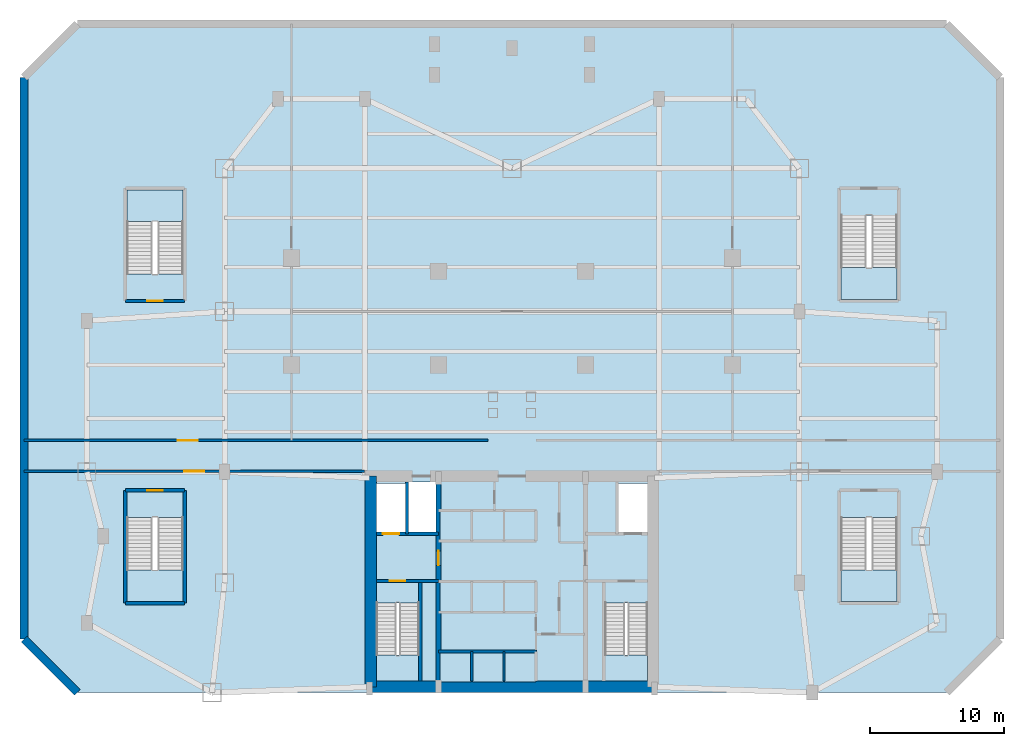
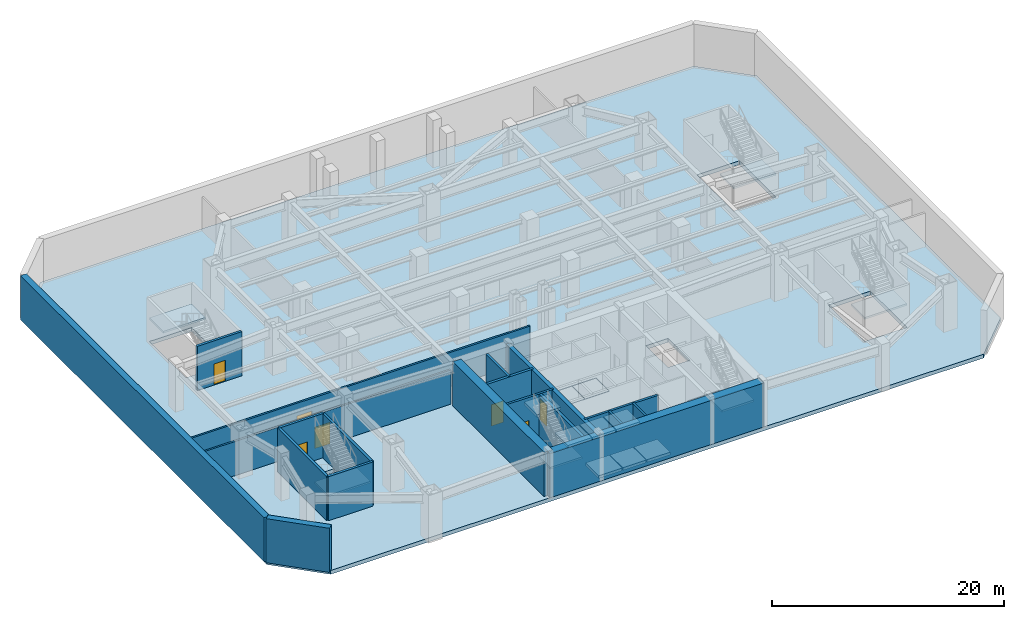
# One storey, part 2 of 6: 19 walls, 16 slabs, 7 doors, 7 openings, 6 elements without a shape of their own.
"""IFC4 building model written with IfcOpenShell, lengths in metres."""

import ifcopenshell
import ifcopenshell.guid

model = None  # the IFC model being written
_history = None  # IfcOwnerHistory: only IFC2X3 demands one
_inside = {}  # id of a spatial element -> (the spatial element, [elements in it])
_under = {}  # id of a project, library or spatial element -> (it, [spatial elements below it])
_declared = {}  # id of a project -> (the project, [libraries it declares])
_typed = {}  # id of a type object -> (the type object, [elements of that type])
_made_of = {}  # id of a material, layer set ... -> (it, [elements and type objects made of it])


def new_model(schema):
    """Start an empty IFC model of exactly this schema.

    Asked for "IFC4X3", IfcOpenShell would pick the latest addendum, in which some entities
    have other attributes; the version numbers below select the first issue.
    IFC2X3 requires an IfcOwnerHistory on every rooted entity: one is made here for all.
    """
    global model, _history
    if schema == "IFC4X3":
        model = ifcopenshell.file(schema_version=(4, 3, 0, 0))
    else:
        model = ifcopenshell.file(schema=schema)
    _inside.clear()
    _under.clear()
    _declared.clear()
    _typed.clear()
    _made_of.clear()
    _history = None
    if model.schema == "IFC2X3":
        org = make("IfcOrganization", Name="unknown")
        user = make(
            "IfcPersonAndOrganization",
            ThePerson=make("IfcPerson", FamilyName="unknown"),
            TheOrganization=org,
        )
        app = make(
            "IfcApplication",
            ApplicationDeveloper=org,
            Version="unknown",
            ApplicationFullName="unknown",
            ApplicationIdentifier="unknown",
        )
        _history = make(
            "IfcOwnerHistory",
            OwningUser=user,
            OwningApplication=app,
            ChangeAction="ADDED",
            CreationDate=0,
        )
    return model


def make(cls, **values):
    """One entity of the class cls with the attributes given. An attribute that is None is left unset."""
    return model.create_entity(
        cls, **{name: value for name, value in values.items() if value is not None}
    )


def rooted(cls, **values):
    """An entity with a GlobalId (a new one), such as an element, a storey or a relation."""
    return make(cls, GlobalId=ifcopenshell.guid.new(), OwnerHistory=_history, **values)


def si_unit(unit_type, name, prefix=None):
    """IfcSIUnit, for example si_unit("LENGTHUNIT", "METRE", prefix="MILLI")."""
    return make("IfcSIUnit", UnitType=unit_type, Prefix=prefix, Name=name)


def assignment(units):
    """IfcUnitAssignment: the units of a project."""
    return None if units is None else make("IfcUnitAssignment", Units=units)


def point(xyz):
    """IfcCartesianPoint."""
    return None if xyz is None else make("IfcCartesianPoint", Coordinates=xyz)


def direction(xyz):
    """IfcDirection."""
    return None if xyz is None else make("IfcDirection", DirectionRatios=xyz)


def frame(location, z_axis=None, x_axis=None):
    """IfcAxis2Placement3D, a coordinate frame: its origin and axes. An axis left out is left unset."""
    return make(
        "IfcAxis2Placement3D",
        Location=point(location),
        Axis=direction(z_axis),
        RefDirection=direction(x_axis),
    )


def frame_2d(location, x_axis=None):
    """IfcAxis2Placement2D, a coordinate frame in the plane: its origin and x axis."""
    return make(
        "IfcAxis2Placement2D", Location=point(location), RefDirection=direction(x_axis)
    )


def origin():
    """The frame at (0, 0, 0) with its axes left unset."""
    return frame((0.0, 0.0, 0.0))


def place(relative_to, where):
    """IfcLocalPlacement: puts the frame where relative to a parent placement (None: the world)."""
    return make(
        "IfcLocalPlacement", PlacementRelTo=relative_to, RelativePlacement=where
    )


def context(
    kind, dimensions, precision=None, world=None, true_north=None, identifier=None
):
    """IfcGeometricRepresentationContext, for example the 3D "Model" context."""
    return make(
        "IfcGeometricRepresentationContext",
        ContextIdentifier=identifier,
        ContextType=kind,
        CoordinateSpaceDimension=dimensions,
        Precision=precision,
        WorldCoordinateSystem=world,
        TrueNorth=true_north,
    )


def subcontext(parent, identifier, kind, view, scale=None):
    """IfcGeometricRepresentationSubContext, for example "Body" below "Model"."""
    return make(
        "IfcGeometricRepresentationSubContext",
        ContextIdentifier=identifier,
        ContextType=kind,
        ParentContext=parent,
        TargetScale=scale,
        TargetView=view,
    )


def project(units=None, contexts=None):
    """IfcProject with its units and contexts."""
    return rooted(
        "IfcProject",
        Name="project",
        RepresentationContexts=contexts,
        UnitsInContext=assignment(units),
    )


def spatial(cls, under=None, at=None, **own):
    """A site, building, storey or space (cls), placed at a placement, below another one or the project."""
    s = rooted(cls, ObjectPlacement=at, **own)
    if under is not None:
        _under.setdefault(under.id(), (under, []))[1].append(s)
    return s


def polyline(points):
    """IfcPolyline through the points."""
    return make("IfcPolyline", Points=[point(p) for p in points])


def profile(cls, at=None, kind="AREA", **sizes):
    """A parametric profile (cls). Its sizes go by their IFC names, for example OverallWidth=200.0."""
    return make(cls, ProfileType=kind, Position=at, **sizes)


def rectangle(**sizes):
    """IfcRectangleProfileDef."""
    return profile("IfcRectangleProfileDef", **sizes)


def outline(outer, holes=None, kind="AREA"):
    """IfcArbitraryClosedProfileDef: a profile drawn as a closed curve; with holes, ...WithVoids."""
    if holes is None:
        return make("IfcArbitraryClosedProfileDef", ProfileType=kind, OuterCurve=outer)
    return make(
        "IfcArbitraryProfileDefWithVoids",
        ProfileType=kind,
        OuterCurve=outer,
        InnerCurves=holes,
    )


def extrude(swept, where, along, depth):
    """IfcExtrudedAreaSolid: the profile swept, set in the frame where, extruded along a direction by depth."""
    return make(
        "IfcExtrudedAreaSolid",
        SweptArea=swept,
        Position=where,
        ExtrudedDirection=direction(along),
        Depth=depth,
    )


def shape(context_of_items, identifier, shape_type, items):
    """IfcShapeRepresentation: the items that make up one representation, for example the "Body"."""
    return make(
        "IfcShapeRepresentation",
        ContextOfItems=context_of_items,
        RepresentationIdentifier=identifier,
        RepresentationType=shape_type,
        Items=items,
    )


def source(mapping_origin, context_of_items, identifier, shape_type, items):
    """IfcRepresentationMap: a shape defined once, which mapped items show again and again."""
    return make(
        "IfcRepresentationMap",
        MappingOrigin=mapping_origin,
        MappedRepresentation=shape(context_of_items, identifier, shape_type, items),
    )


def transform(
    local_origin,
    x_axis=None,
    y_axis=None,
    z_axis=None,
    scale=None,
    scale2=None,
    scale3=None,
    uniform=True,
):
    """IfcCartesianTransformationOperator3D, or its non-uniform kind. x_axis, y_axis, z_axis: its Axis1, 2, 3."""
    if uniform:
        return make(
            "IfcCartesianTransformationOperator3D",
            Axis1=direction(x_axis),
            Axis2=direction(y_axis),
            LocalOrigin=point(local_origin),
            Scale=scale,
            Axis3=direction(z_axis),
        )
    return make(
        "IfcCartesianTransformationOperator3DnonUniform",
        Axis1=direction(x_axis),
        Axis2=direction(y_axis),
        LocalOrigin=point(local_origin),
        Scale=scale,
        Axis3=direction(z_axis),
        Scale2=scale2,
        Scale3=scale3,
    )


def mapped(mapping_source, mapping_target):
    """IfcMappedItem: shows the shape of a source again, moved by a transform."""
    return make(
        "IfcMappedItem", MappingSource=mapping_source, MappingTarget=mapping_target
    )


def material(Name=None, Category=None):
    """IfcMaterial."""
    return make("IfcMaterial", Name=Name, Category=Category)


def layer(
    of_material, thickness, ventilated=None, Name=None, Category=None, Priority=None
):
    """IfcMaterialLayer: one layer of a wall or slab, of a material (None: an air gap)."""
    return make(
        "IfcMaterialLayer",
        Material=of_material,
        LayerThickness=thickness,
        IsVentilated=ventilated,
        Name=Name,
        Category=Category,
        Priority=Priority,
    )


def layer_set(layers, Name=None):
    """IfcMaterialLayerSet."""
    return make("IfcMaterialLayerSet", MaterialLayers=layers, LayerSetName=Name)


def made_of(thing, what):
    """Note that an element or type object is made of a material, layer set ...; save() writes the relation."""
    if what is not None:
        _made_of.setdefault(what.id(), (what, []))[1].append(thing)
    return thing


def type_object(cls, material=None, **own):
    """A type object (cls), such as IfcWallType, which elements share."""
    return made_of(rooted(cls, **own), material)


def type_shapes(of_type, sources):
    """Give a type object the sources (RepresentationMaps) that its elements show as mapped items."""
    of_type.RepresentationMaps = sources


def element(
    cls,
    number,
    at=None,
    inside=None,
    cuts=None,
    type_object=None,
    material=None,
    context=None,
    identifier="Body",
    shape_type=None,
    held_by="IfcProductDefinitionShape",
    body=None,
    shapes=None,
    **own,
):
    """One element of the class cls, such as IfcWall. Its Tag is "e" and its number.

    at: its placement. inside: the storey or other place that contains it. cuts: it is an
    opening in that element (IfcRelVoidsElement). A single representation is given by context,
    identifier, shape_type and body (its items); several are given by shapes. held_by: the class
    of the entity that holds the representations. save() writes the other relations.
    """
    e = rooted(cls, Tag="e%d" % number, ObjectPlacement=at, **own)
    if body is not None:
        shapes = [shape(context, identifier, shape_type, body)]
    if shapes is not None:
        e.Representation = make(held_by, Representations=shapes)
    if inside is not None:
        _inside.setdefault(inside.id(), (inside, []))[1].append(e)
    if cuts is not None:
        rooted(
            "IfcRelVoidsElement", RelatingBuildingElement=cuts, RelatedOpeningElement=e
        )
    if type_object is not None:
        _typed.setdefault(type_object.id(), (type_object, []))[1].append(e)
    return made_of(e, material)


def fill(opening, filler):
    """IfcRelFillsElement: the door or window that sits in an opening."""
    return rooted(
        "IfcRelFillsElement",
        RelatingOpeningElement=opening,
        RelatedBuildingElement=filler,
    )


def aggregate(whole, parts):
    """IfcRelAggregates: a whole, such as a stair, and the parts it consists of."""
    return rooted("IfcRelAggregates", RelatingObject=whole, RelatedObjects=parts)


def save(model, path):
    """Write the relations noted so far, then the file.

    IfcRelAggregates (storeys below a building ...), IfcRelContainedInSpatialStructure (elements
    in a storey), IfcRelDefinesByType, IfcRelAssociatesMaterial and IfcRelDeclares: one each for
    every whole, place, type object, material and project.
    """
    for whole, parts in _under.values():
        aggregate(whole, parts)
    for where, things in _inside.values():
        rooted(
            "IfcRelContainedInSpatialStructure",
            RelatedElements=things,
            RelatingStructure=where,
        )
    for kind, things in _typed.values():
        rooted("IfcRelDefinesByType", RelatedObjects=things, RelatingType=kind)
    for what, things in _made_of.values():
        rooted("IfcRelAssociatesMaterial", RelatedObjects=things, RelatingMaterial=what)
    for by, libraries in _declared.values():
        rooted("IfcRelDeclares", RelatingContext=by, RelatedDefinitions=libraries)
    model.write(path)


model = new_model("IFC4")

# Units and contexts
model_context = context("Model", 3, precision=1e-05, world=origin(), true_north=direction((0.0, 1.0)))
body_context = subcontext(model_context, "Body", "Model", "MODEL_VIEW")
ifc_project = project(units=[si_unit("LENGTHUNIT", "METRE"), si_unit("AREAUNIT", "SQUARE_METRE"), si_unit("VOLUMEUNIT", "CUBIC_METRE"), si_unit("PLANEANGLEUNIT", "RADIAN"), si_unit("MASSUNIT", "GRAM", prefix="KILO")], contexts=[model_context])

# Site, building, storey
site_placement = place(None, origin())
site = spatial("IfcSite", under=ifc_project, at=site_placement, CompositionType="ELEMENT")
building_placement = place(site_placement, origin())
building = spatial("IfcBuilding", under=site, at=building_placement, Name="Varnakhor Terracotta Tower", CompositionType="ELEMENT")
storey_placement = place(building_placement, frame((0.0, 0.0, -5.0)))
storey = spatial("IfcBuildingStorey", under=building, at=storey_placement, Name="B01", CompositionType="ELEMENT", Elevation=-5.0)

# Slab
ifc_material_1 = material(Name="Concrete C40/50", Category="concrete")
ifc_layer_1 = layer(ifc_material_1, 0.39990234375, Name="Concrete C40/50")
ifc_layer_set_1 = layer_set([ifc_layer_1], Name="Concrete C40/50")
slab_type_1 = type_object("IfcSlabType", Name="SLB-BSM-400", PredefinedType="FLOOR", material=ifc_layer_set_1)
slab_1_placement = place(storey_placement, frame((0.0, 0.0, -0.39990234375)))
element("IfcSlab", 1, at=slab_1_placement, inside=storey, type_object=slab_type_1, Name="B01 Structural Floor Slab", PredefinedType="FLOOR", context=body_context, shape_type="SweptSolid", body=[
    extrude(outline(polyline([(-36.5, 4.0), (-36.5, 46.0), (-32.5, 50.0), (32.5, 50.0), (36.5, 46.0), (36.5, 4.0), (32.5, 0.0), (-32.5, 0.0), (-36.5, 4.0)]), holes=[polyline([(1.7900390625, 0.760009765625), (1.7900390625, 3.0400390625), (-5.389892578125, 3.0400390625), (-5.389892578125, 0.760009765625), (1.7900390625, 0.760009765625)]), polyline([(-10.14990234375, 0.85009765625), (-6.949951171875, 0.85009765625), (-6.949951171875, 6.695068359375), (-10.14990234375, 6.695068359375), (-10.14990234375, 0.85009765625)]), polyline([(-28.800048828125, 6.800048828125), (-24.60009765625, 6.800048828125), (-24.60009765625, 13.0849609375), (-28.800048828125, 13.0849609375), (-28.800048828125, 6.800048828125)]), polyline([(-7.949951171875, 11.8798828125), (-7.949951171875, 15.64990234375), (-10.14990234375, 15.64990234375), (-10.14990234375, 11.8798828125), (-7.949951171875, 11.8798828125)]), polyline([(-7.72998046875, 11.8798828125), (-5.699951171875, 11.8798828125), (-5.699951171875, 15.75), (-7.72998046875, 15.75), (-7.72998046875, 11.8798828125)]), polyline([(-28.800048828125, 31.31494140625), (-24.60009765625, 31.31494140625), (-24.60009765625, 37.60009765625), (-28.800048828125, 37.60009765625), (-28.800048828125, 31.31494140625)]), polyline([(10.14990234375, 0.85009765625), (10.14990234375, 6.695068359375), (6.949951171875, 6.695068359375), (6.949951171875, 0.85009765625), (10.14990234375, 0.85009765625)]), polyline([(-5.389892578125, 6.010009765625), (1.7900390625, 6.010009765625), (1.7900390625, 8.2900390625), (-5.389892578125, 8.2900390625), (-5.389892578125, 6.010009765625)]), polyline([(24.60009765625, 6.800048828125), (28.800048828125, 6.800048828125), (28.800048828125, 13.0849609375), (24.60009765625, 13.0849609375), (24.60009765625, 6.800048828125)]), polyline([(1.7900390625, 11.330078125), (1.7900390625, 13.610107421875), (-5.389892578125, 13.610107421875), (-5.389892578125, 11.330078125), (1.7900390625, 11.330078125)]), polyline([(7.949951171875, 11.8798828125), (10.14990234375, 11.8798828125), (10.14990234375, 15.64990234375), (7.949951171875, 15.64990234375), (7.949951171875, 11.8798828125)]), polyline([(24.60009765625, 29.39990234375), (28.800048828125, 29.39990234375), (28.800048828125, 35.68505859375), (24.60009765625, 35.68505859375), (24.60009765625, 29.39990234375)])]), origin(), (0.0, 0.0, 1.0), 0.39990234375),
])

# Stair, slab
stair_type_1 = type_object("IfcStairType", Name="STR-CORE-OFFICE-1500", PredefinedType="HALF_TURN_STAIR", material=ifc_material_1)
stair_1_placement = place(storey_placement, origin())
stair_1 = element("IfcStair", 2, at=stair_1_placement, inside=storey, type_object=stair_type_1, Name="B01 Core Exit Stair ST-1", PredefinedType="HALF_TURN_STAIR")
ifc_layer_2 = layer(ifc_material_1, 0.179931640625, Name="Concrete C40/50")
ifc_layer_set_2 = layer_set([ifc_layer_2], Name="Concrete C40/50")
slab_type_2 = type_object("IfcSlabType", Name="SLB-LANDING-180", PredefinedType="LANDING", material=ifc_layer_set_2)
slab_2_placement = place(storey_placement, frame((0.0, 0.0, 2.300048828125)))
slab_2 = element("IfcSlab", 3, at=slab_2_placement, type_object=slab_type_2, Name="ST-1 landing 1", PredefinedType="LANDING", context=body_context, shape_type="SweptSolid", body=[
    extrude(outline(polyline([(-10.14990234375, 2.7900390625), (-10.14990234375, 0.85009765625), (-6.949951171875, 0.85009765625), (-6.949951171875, 2.7900390625), (-10.14990234375, 2.7900390625)])), origin(), (0.0, 0.0, 1.0), 0.199951171875),
])
aggregate(stair_1, [slab_2])

stair_2_placement = place(storey_placement, origin())
stair_2 = element("IfcStair", 4, at=stair_2_placement, inside=storey, type_object=stair_type_1, Name="B01 Core Exit Stair ST-2", PredefinedType="HALF_TURN_STAIR")
slab_3_placement = place(storey_placement, frame((0.0, 0.0, 2.300048828125)))
slab_3 = element("IfcSlab", 5, at=slab_3_placement, type_object=slab_type_2, Name="ST-2 landing 1", PredefinedType="LANDING", context=body_context, shape_type="SweptSolid", body=[
    extrude(outline(polyline([(6.949951171875, 2.7900390625), (6.949951171875, 0.85009765625), (10.14990234375, 0.85009765625), (10.14990234375, 2.7900390625), (6.949951171875, 2.7900390625)])), origin(), (0.0, 0.0, 1.0), 0.199951171875),
])
aggregate(stair_2, [slab_3])

stair_type_2 = type_object("IfcStairType", Name="STR-PODIUM-EXIT-2000", PredefinedType="HALF_TURN_STAIR", material=ifc_material_1)
stair_3_placement = place(storey_placement, origin())
stair_3 = element("IfcStair", 6, at=stair_3_placement, inside=storey, type_object=stair_type_2, Name="B01 Podium Assembly Exit Stair ST-P1", PredefinedType="HALF_TURN_STAIR")
slab_4_placement = place(storey_placement, frame((0.0, 0.0, 2.300048828125)))
slab_4 = element("IfcSlab", 7, at=slab_4_placement, type_object=slab_type_2, Name="ST-P1 landing 1", PredefinedType="LANDING", context=body_context, shape_type="SweptSolid", body=[
    extrude(outline(polyline([(-28.800048828125, 9.179931640625), (-28.800048828125, 6.800048828125), (-24.60009765625, 6.800048828125), (-24.60009765625, 9.179931640625), (-28.800048828125, 9.179931640625)])), origin(), (0.0, 0.0, 1.0), 0.199951171875),
])
aggregate(stair_3, [slab_4])

stair_4_placement = place(storey_placement, origin())
stair_4 = element("IfcStair", 8, at=stair_4_placement, inside=storey, type_object=stair_type_2, Name="B01 Podium Assembly Exit Stair ST-P2", PredefinedType="HALF_TURN_STAIR")
slab_5_placement = place(storey_placement, frame((0.0, 0.0, 2.300048828125)))
slab_5 = element("IfcSlab", 9, at=slab_5_placement, type_object=slab_type_2, Name="ST-P2 landing 1", PredefinedType="LANDING", context=body_context, shape_type="SweptSolid", body=[
    extrude(outline(polyline([(24.60009765625, 9.179931640625), (24.60009765625, 6.800048828125), (28.800048828125, 6.800048828125), (28.800048828125, 9.179931640625), (24.60009765625, 9.179931640625)])), origin(), (0.0, 0.0, 1.0), 0.199951171875),
])
aggregate(stair_4, [slab_5])

stair_5_placement = place(storey_placement, origin())
stair_5 = element("IfcStair", 10, at=stair_5_placement, inside=storey, type_object=stair_type_2, Name="B01 Podium Assembly Exit Stair ST-P3", PredefinedType="HALF_TURN_STAIR")
slab_6_placement = place(storey_placement, frame((0.0, 0.0, 2.300048828125)))
slab_6 = element("IfcSlab", 11, at=slab_6_placement, type_object=slab_type_2, Name="ST-P3 landing 1", PredefinedType="LANDING", context=body_context, shape_type="SweptSolid", body=[
    extrude(outline(polyline([(-24.60009765625, 35.219970703125), (-24.60009765625, 37.60009765625), (-28.800048828125, 37.60009765625), (-28.800048828125, 35.219970703125), (-24.60009765625, 35.219970703125)])), origin(), (0.0, 0.0, 1.0), 0.199951171875),
])
aggregate(stair_5, [slab_6])

stair_6_placement = place(storey_placement, origin())
stair_6 = element("IfcStair", 12, at=stair_6_placement, inside=storey, type_object=stair_type_2, Name="B01 Podium Assembly Exit Stair ST-P4", PredefinedType="HALF_TURN_STAIR")
slab_7_placement = place(storey_placement, frame((0.0, 0.0, 2.300048828125)))
slab_7 = element("IfcSlab", 13, at=slab_7_placement, type_object=slab_type_2, Name="ST-P4 landing 1", PredefinedType="LANDING", context=body_context, shape_type="SweptSolid", body=[
    extrude(outline(polyline([(24.60009765625, 31.780029296875), (24.60009765625, 29.39990234375), (28.800048828125, 29.39990234375), (28.800048828125, 31.780029296875), (24.60009765625, 31.780029296875)])), origin(), (0.0, 0.0, 1.0), 0.199951171875),
])
aggregate(stair_6, [slab_7])

# Slabs
ifc_layer_3 = layer(ifc_material_1, 0.300048828125, Name="Concrete C40/50")
ifc_layer_set_3 = layer_set([ifc_layer_3], Name="Concrete C40/50")
slab_type_3 = type_object("IfcSlabType", Name="SLB-PLANT-300", PredefinedType="FLOOR", material=ifc_layer_set_3)
slab_8_placement = place(storey_placement, frame((0.0, 0.0, -0.300048828125)))
element("IfcSlab", 14, at=slab_8_placement, inside=storey, type_object=slab_type_3, Name="Lift PL-1A Structural Pit Base Slab", PredefinedType="FLOOR", context=body_context, shape_type="SweptSolid", body=[
    extrude(outline(polyline([(-5.3798828125, 0.77001953125), (-3.02001953125, 0.77001953125), (-3.02001953125, 3.030029296875), (-5.3798828125, 3.030029296875), (-5.3798828125, 0.77001953125)])), origin(), (0.0, 0.0, 1.0), 0.300048828125),
])
slab_9_placement = place(storey_placement, frame((0.0, 0.0, -0.300048828125)))
element("IfcSlab", 15, at=slab_9_placement, inside=storey, type_object=slab_type_3, Name="Lift PL-1B Structural Pit Base Slab", PredefinedType="FLOOR", context=body_context, shape_type="SweptSolid", body=[
    extrude(outline(polyline([(-2.9599609375, 0.77001953125), (-0.639892578125, 0.77001953125), (-0.639892578125, 3.030029296875), (-2.9599609375, 3.030029296875), (-2.9599609375, 0.77001953125)])), origin(), (0.0, 0.0, 1.0), 0.300048828125),
])
slab_10_placement = place(storey_placement, frame((0.0, 0.0, -0.300048828125)))
element("IfcSlab", 16, at=slab_10_placement, inside=storey, type_object=slab_type_3, Name="Lift PL-1C Structural Pit Base Slab", PredefinedType="FLOOR", context=body_context, shape_type="SweptSolid", body=[
    extrude(outline(polyline([(-0.580078125, 0.77001953125), (1.780029296875, 0.77001953125), (1.780029296875, 3.030029296875), (-0.580078125, 3.030029296875), (-0.580078125, 0.77001953125)])), origin(), (0.0, 0.0, 1.0), 0.300048828125),
])
slab_11_placement = place(storey_placement, frame((0.0, 0.0, -0.300048828125)))
element("IfcSlab", 17, at=slab_11_placement, inside=storey, type_object=slab_type_3, Name="Lift PL-2A Structural Pit Base Slab", PredefinedType="FLOOR", context=body_context, shape_type="SweptSolid", body=[
    extrude(outline(polyline([(-5.3798828125, 6.02001953125), (-3.02001953125, 6.02001953125), (-3.02001953125, 8.280029296875), (-5.3798828125, 8.280029296875), (-5.3798828125, 6.02001953125)])), origin(), (0.0, 0.0, 1.0), 0.300048828125),
])
slab_12_placement = place(storey_placement, frame((0.0, 0.0, -0.300048828125)))
element("IfcSlab", 18, at=slab_12_placement, inside=storey, type_object=slab_type_3, Name="Lift PL-2B Structural Pit Base Slab", PredefinedType="FLOOR", context=body_context, shape_type="SweptSolid", body=[
    extrude(outline(polyline([(-2.9599609375, 6.02001953125), (-0.639892578125, 6.02001953125), (-0.639892578125, 8.280029296875), (-2.9599609375, 8.280029296875), (-2.9599609375, 6.02001953125)])), origin(), (0.0, 0.0, 1.0), 0.300048828125),
])
slab_13_placement = place(storey_placement, frame((0.0, 0.0, -0.300048828125)))
element("IfcSlab", 19, at=slab_13_placement, inside=storey, type_object=slab_type_3, Name="Lift PL-2C Structural Pit Base Slab", PredefinedType="FLOOR", context=body_context, shape_type="SweptSolid", body=[
    extrude(outline(polyline([(-0.580078125, 6.02001953125), (1.780029296875, 6.02001953125), (1.780029296875, 8.280029296875), (-0.580078125, 8.280029296875), (-0.580078125, 6.02001953125)])), origin(), (0.0, 0.0, 1.0), 0.300048828125),
])
slab_14_placement = place(storey_placement, frame((0.0, 0.0, -0.300048828125)))
element("IfcSlab", 20, at=slab_14_placement, inside=storey, type_object=slab_type_3, Name="Lift PL-3A Structural Pit Base Slab", PredefinedType="FLOOR", context=body_context, shape_type="SweptSolid", body=[
    extrude(outline(polyline([(-5.3798828125, 11.340087890625), (-3.02001953125, 11.340087890625), (-3.02001953125, 13.60009765625), (-5.3798828125, 13.60009765625), (-5.3798828125, 11.340087890625)])), origin(), (0.0, 0.0, 1.0), 0.300048828125),
])
slab_15_placement = place(storey_placement, frame((0.0, 0.0, -0.300048828125)))
element("IfcSlab", 21, at=slab_15_placement, inside=storey, type_object=slab_type_3, Name="Lift PL-3B Structural Pit Base Slab", PredefinedType="FLOOR", context=body_context, shape_type="SweptSolid", body=[
    extrude(outline(polyline([(-2.9599609375, 11.340087890625), (-0.639892578125, 11.340087890625), (-0.639892578125, 13.60009765625), (-2.9599609375, 13.60009765625), (-2.9599609375, 11.340087890625)])), origin(), (0.0, 0.0, 1.0), 0.300048828125),
])
slab_16_placement = place(storey_placement, frame((0.0, 0.0, -0.300048828125)))
element("IfcSlab", 22, at=slab_16_placement, inside=storey, type_object=slab_type_3, Name="Lift PL-3C Structural Pit Base Slab", PredefinedType="FLOOR", context=body_context, shape_type="SweptSolid", body=[
    extrude(outline(polyline([(-0.580078125, 11.340087890625), (1.780029296875, 11.340087890625), (1.780029296875, 13.60009765625), (-0.580078125, 13.60009765625), (-0.580078125, 11.340087890625)])), origin(), (0.0, 0.0, 1.0), 0.300048828125),
])

# Walls
ifc_layer_4 = layer(ifc_material_1, 0.60009765625, Name="Concrete C40/50")
ifc_layer_set_4 = layer_set([ifc_layer_4], Name="Concrete C40/50")
wall_type_1 = type_object("IfcWallType", Name="WAL-BSM-RET-600", PredefinedType="SOLIDWALL", material=ifc_layer_set_4)
wall_1_placement = place(storey_placement, frame((-36.5, 46.0, 0.0), z_axis=(0.0, 0.0, 1.0), x_axis=(0.0, -1.0, 0.0)))
element("IfcWall", 23, at=wall_1_placement, inside=storey, type_object=wall_type_1, Name="B01 Perimeter Retaining Wall 7", PredefinedType="SOLIDWALL", context=body_context, shape_type="SweptSolid", body=[
    extrude(rectangle(XDim=42.0, YDim=0.60009765625, at=frame_2d((21.0, 0.0))), origin(), (0.0, 0.0, 1.0), 4.639892578125),
])
wall_2_placement = place(storey_placement, frame((-36.5, 4.0, 0.0), z_axis=(0.0, 0.0, 1.0), x_axis=(0.707106781187, -0.707106781187, 0.0)))
element("IfcWall", 24, at=wall_2_placement, inside=storey, type_object=wall_type_1, Name="B01 Perimeter Retaining Wall 8", PredefinedType="SOLIDWALL", context=body_context, shape_type="SweptSolid", body=[
    extrude(rectangle(XDim=5.65673828125, YDim=0.60009765625, at=frame_2d((2.828369140625, 0.0))), origin(), (0.0, 0.0, 1.0), 4.639892578125),
])
ifc_material_2 = material(Name="Concrete C60/75", Category="concrete")
ifc_layer_5 = layer(ifc_material_2, 0.85009765625, Name="Concrete C60/75")
ifc_layer_set_5 = layer_set([ifc_layer_5], Name="Concrete C60/75")
wall_type_2 = type_object("IfcWallType", Name="WAL-CORE-850", PredefinedType="SHEAR", material=ifc_layer_set_5)
wall_3_placement = place(storey_placement, frame((-10.64990234375, 0.425048828125, 0.0), z_axis=(0.0, 0.0, 1.0), x_axis=(1.0, 0.0, 0.0)))
element("IfcWall", 25, at=wall_3_placement, inside=storey, type_object=wall_type_2, Name="B01 South Core Shear Wall", PredefinedType="SHEAR", context=body_context, shape_type="SweptSolid", body=[
    extrude(rectangle(XDim=21.2998046875, YDim=0.85009765625, at=frame_2d((10.64990234375, 0.0))), origin(), (0.0, 0.0, 1.0), 4.639892578125),
])
wall_4_placement = place(storey_placement, frame((-10.574951171875, 0.425048828125, 0.0), z_axis=(0.0, 0.0, 1.0), x_axis=(0.0, 1.0, 0.0)))
element("IfcWall", 26, at=wall_4_placement, inside=storey, type_object=wall_type_2, Name="B01 West Core Shear Wall", PredefinedType="SHEAR", context=body_context, shape_type="SweptSolid", body=[
    extrude(rectangle(XDim=15.75, YDim=0.85009765625, at=frame_2d((7.875, 0.0))), origin(), (0.0, 0.0, 1.0), 4.639892578125),
])

# Wall, opening, door
ifc_material_3 = material(Name="Concrete C50/60", Category="concrete")
ifc_layer_6 = layer(ifc_material_3, 0.39990234375, Name="Concrete C50/60")
ifc_layer_set_6 = layer_set([ifc_layer_6], Name="Concrete C50/60")
wall_type_3 = type_object("IfcWallType", Name="WAL-CORE-WEB-400", PredefinedType="SHEAR", material=ifc_layer_set_6)
wall_5_placement = place(storey_placement, frame((-5.5, 0.425048828125, 0.0), z_axis=(0.0, 0.0, 1.0), x_axis=(0.0, 1.0, 0.0)))
wall_5 = element("IfcWall", 27, at=wall_5_placement, inside=storey, type_object=wall_type_3, Name="B01 West Core Web Shear Wall", PredefinedType="SHEAR", context=body_context, shape_type="SweptSolid", body=[
    extrude(rectangle(XDim=15.75, YDim=0.39990234375, at=frame_2d((7.875, 0.0))), origin(), (0.0, 0.0, 1.0), 4.639892578125),
])
opening_1_placement = place(wall_5_placement, frame((9.074951171875, 0.0, 0.0)))
opening_1 = element("IfcOpeningElement", 28, at=opening_1_placement, cuts=wall_5, Name="Opening DR-25", PredefinedType="OPENING", context=body_context, shape_type="SweptSolid", body=[
    extrude(rectangle(XDim=1.10009765625, YDim=2.199951171875, at=frame_2d((0.550048828125, 1.10009765625))), frame((0.0, 0.2099609375, 0.0), z_axis=(0.0, -1.0, 0.0), x_axis=(1.0, 0.0, 0.0)), (0.0, 0.0, 1.0), 0.419921875),
])
ifc_material_4 = material(Name="Firefighting Lobby Self-Closing Fire Door", Category="steel")
door_type_1 = type_object("IfcDoorType", Name="DR-FFL-1100X2200", OperationType="NOTDEFINED", PredefinedType="DOOR", material=ifc_material_4)
shared_shape_1 = source(origin(), body_context, "Body", "SweptSolid", [
    extrude(rectangle(XDim=1.10009765625, YDim=2.199951171875, at=frame_2d((0.550048828125, 1.10009765625))), frame((0.0, 0.02490234375, 0.0), z_axis=(0.0, -1.0, 0.0), x_axis=(1.0, 0.0, 0.0)), (0.0, 0.0, 1.0), 0.050048828125),
])
type_shapes(door_type_1, [shared_shape_1])
door_1_placement = place(opening_1_placement, origin())
door_1 = element("IfcDoor", 29, at=door_1_placement, inside=storey, type_object=door_type_1, Name="B01 West Firefighting Lobby Door", OperationType="SINGLE_SWING_LEFT", OverallHeight=2.199951171875, OverallWidth=1.10009765625, PredefinedType="DOOR", context=body_context, shape_type="MappedRepresentation", body=[
    mapped(shared_shape_1, transform((0.0, 0.0, 0.0), scale=1.0)),
])
fill(opening_1, door_1)

ifc_material_5 = material(Name="Fire-Rated Gypsum Stud Partition", Category="gypsum")
ifc_layer_7 = layer(ifc_material_5, 0.18505859375, Name="Fire-Rated Gypsum Stud Partition")
ifc_layer_set_7 = layer_set([ifc_layer_7], Name="Fire-Rated Gypsum Stud Partition")
wall_type_4 = type_object("IfcWallType", Name="WAL-CORR-185", PredefinedType="PARTITIONING", material=ifc_layer_set_7)
wall_6_placement = place(storey_placement, frame((-36.489990234375, 16.550048828125, 0.0), z_axis=(0.0, 0.0, 1.0), x_axis=(1.0, 0.0, 0.0)))
wall_6 = element("IfcWall", 30, at=wall_6_placement, inside=storey, type_object=wall_type_4, Name="B01 West Plant Corridor Wall", PredefinedType="PARTITIONING", context=body_context, shape_type="SweptSolid", body=[
    extrude(rectangle(XDim=25.469970703125, YDim=0.18505859375, at=frame_2d((12.73486328125, 0.0))), origin(), (0.0, 0.0, 1.0), 3.592041015625),
])
opening_2_placement = place(wall_6_placement, frame((11.985107421875, 0.0, 0.0)))
opening_2 = element("IfcOpeningElement", 31, at=opening_2_placement, cuts=wall_6, Name="Opening DR-30", PredefinedType="OPENING", context=body_context, shape_type="SweptSolid", body=[
    extrude(rectangle(XDim=1.5, YDim=2.25, at=frame_2d((0.75, 1.125))), frame((0.0, 0.1025390625, 0.0), z_axis=(0.0, -1.0, 0.0), x_axis=(1.0, 0.0, 0.0)), (0.0, 0.0, 1.0), 0.205078125),
])
ifc_material_6 = material(Name="Double Acoustic Conference Room Door", Category="wood")
door_type_2 = type_object("IfcDoorType", Name="DR-MEET-1500X2250", OperationType="NOTDEFINED", PredefinedType="DOOR", material=ifc_material_6)
shared_shape_2 = source(origin(), body_context, "Body", "SweptSolid", [
    extrude(rectangle(XDim=1.5, YDim=2.25, at=frame_2d((0.75, 1.125))), frame((0.0, 0.02490234375, 0.0), z_axis=(0.0, -1.0, 0.0), x_axis=(1.0, 0.0, 0.0)), (0.0, 0.0, 1.0), 0.050048828125),
])
type_shapes(door_type_2, [shared_shape_2])
door_2_placement = place(opening_2_placement, origin())
door_2 = element("IfcDoor", 32, at=door_2_placement, inside=storey, type_object=door_type_2, Name="B01 SW Plant Door", OperationType="DOUBLE_DOOR_SINGLE_SWING", OverallHeight=2.25, OverallWidth=1.5, PredefinedType="DOOR", context=body_context, shape_type="MappedRepresentation", body=[
    mapped(shared_shape_2, transform((0.0, 0.0, 0.0), scale=1.0)),
])
fill(opening_2, door_2)

wall_7_placement = place(storey_placement, frame((-36.489990234375, 18.85009765625, 0.0), z_axis=(0.0, 0.0, 1.0), x_axis=(1.0, 0.0, 0.0)))
wall_7 = element("IfcWall", 33, at=wall_7_placement, inside=storey, type_object=wall_type_4, Name="B01 Corridor North West Wall", PredefinedType="PARTITIONING", context=body_context, shape_type="SweptSolid", body=[
    extrude(rectangle(XDim=34.68994140625, YDim=0.18505859375, at=frame_2d((17.344970703125, 0.0))), origin(), (0.0, 0.0, 1.0), 3.592041015625),
])
opening_3_placement = place(wall_7_placement, frame((11.493408203125, 0.0, 0.0)))
opening_3 = element("IfcOpeningElement", 34, at=opening_3_placement, cuts=wall_7, Name="Opening DR-30", PredefinedType="OPENING", context=body_context, shape_type="SweptSolid", body=[
    extrude(rectangle(XDim=1.5, YDim=2.25, at=frame_2d((0.75, 1.125))), frame((0.0, 0.1025390625, 0.0), z_axis=(0.0, -1.0, 0.0), x_axis=(1.0, 0.0, 0.0)), (0.0, 0.0, 1.0), 0.205078125),
])
door_3_placement = place(opening_3_placement, origin())
door_3 = element("IfcDoor", 35, at=door_3_placement, inside=storey, type_object=door_type_2, Name="B01 West Hall Door", OperationType="DOUBLE_DOOR_SINGLE_SWING", OverallHeight=2.25, OverallWidth=1.5, PredefinedType="DOOR", context=body_context, shape_type="MappedRepresentation", body=[
    mapped(shared_shape_2, transform((0.0, 0.0, 0.0), scale=1.0)),
])
fill(opening_3, door_3)

ifc_layer_8 = layer(ifc_material_1, 0.219970703125, Name="Concrete C40/50")
ifc_layer_set_8 = layer_set([ifc_layer_8], Name="Concrete C40/50")
wall_type_5 = type_object("IfcWallType", Name="WAL-FFLOBBY-220", PredefinedType="SOLIDWALL", material=ifc_layer_set_8)
wall_8_placement = place(storey_placement, frame((-5.5, 8.35009765625, 0.0), z_axis=(0.0, 0.0, 1.0), x_axis=(-1.0, 0.0, 0.0)))
wall_8 = element("IfcWall", 36, at=wall_8_placement, inside=storey, type_object=wall_type_5, Name="B01 West Firefighting Lobby Stair Wall", PredefinedType="SOLIDWALL", context=body_context, shape_type="SweptSolid", body=[
    extrude(rectangle(XDim=4.64990234375, YDim=0.219970703125, at=frame_2d((2.324951171875, 0.0))), origin(), (0.0, 0.0, 1.0), 4.639892578125),
])
opening_4_placement = place(wall_8_placement, frame((2.5, 0.0, 0.0)))
opening_4 = element("IfcOpeningElement", 37, at=opening_4_placement, cuts=wall_8, Name="Opening DR-34", PredefinedType="OPENING", context=body_context, shape_type="SweptSolid", body=[
    extrude(rectangle(XDim=1.14990234375, YDim=2.199951171875, at=frame_2d((0.574951171875, 1.10009765625))), frame((0.0, 0.1201171875, 0.0), z_axis=(0.0, -1.0, 0.0), x_axis=(1.0, 0.0, 0.0)), (0.0, 0.0, 1.0), 0.239990234375),
])
ifc_material_7 = material(Name="Self-Closing Smoke-Sealed Steel Fire Door", Category="steel")
door_type_3 = type_object("IfcDoorType", Name="DR-STAIR-1150X2200", OperationType="NOTDEFINED", PredefinedType="DOOR", material=ifc_material_7)
shared_shape_3 = source(origin(), body_context, "Body", "SweptSolid", [
    extrude(rectangle(XDim=1.14990234375, YDim=2.199951171875, at=frame_2d((0.574951171875, 1.10009765625))), frame((0.0, 0.02490234375, 0.0), z_axis=(0.0, -1.0, 0.0), x_axis=(1.0, 0.0, 0.0)), (0.0, 0.0, 1.0), 0.050048828125),
])
type_shapes(door_type_3, [shared_shape_3])
door_4_placement = place(opening_4_placement, origin())
door_4 = element("IfcDoor", 38, at=door_4_placement, inside=storey, type_object=door_type_3, Name="B01 Exit Stair ST-1 Fire Door", OperationType="SINGLE_SWING_RIGHT", OverallHeight=2.199951171875, OverallWidth=1.14990234375, PredefinedType="DOOR", context=body_context, shape_type="MappedRepresentation", body=[
    mapped(shared_shape_3, transform((0.0, 0.0, 0.0), scale=1.0)),
])
fill(opening_4, door_4)

# Walls
ifc_layer_9 = layer(ifc_material_1, 0.179931640625, Name="Concrete C40/50")
ifc_layer_set_9 = layer_set([ifc_layer_9], Name="Concrete C40/50")
wall_type_6 = type_object("IfcWallType", Name="WAL-SHAFT-180", PredefinedType="SOLIDWALL", material=ifc_layer_set_9)
for number, where, z_axis, x_axis, name in (
    (39, (-3.0, 0.85009765625, 0.0), (0.0, 0.0, 1.0), (0.0, 1.0, 0.0), "B01 PL-1A Divider"),
    (40, (-0.60009765625, 0.85009765625, 0.0), (0.0, 0.0, 1.0), (0.0, 1.0, 0.0), "B01 PL-1B Divider"),
):
    element("IfcWall", number, at=place(storey_placement, frame(where, z_axis=z_axis, x_axis=x_axis)), inside=storey, type_object=wall_type_6, Name=name, PredefinedType="SOLIDWALL", context=body_context, shape_type="SweptSolid", body=[
        extrude(rectangle(XDim=2.199951171875, YDim=0.179931640625, at=frame_2d((1.10009765625, 0.0))), origin(), (0.0, 0.0, 1.0), 4.639892578125),
    ])
ifc_layer_10 = layer(ifc_material_1, 0.219970703125, Name="Concrete C40/50")
ifc_layer_set_10 = layer_set([ifc_layer_10], Name="Concrete C40/50")
wall_type_7 = type_object("IfcWallType", Name="WAL-SHAFT-220", PredefinedType="SOLIDWALL", material=ifc_layer_set_10)
wall_9_placement = place(storey_placement, frame((-7.840087890625, 11.8701171875, 0.0), z_axis=(0.0, 0.0, 1.0), x_axis=(0.0, 1.0, 0.0)))
element("IfcWall", 41, at=wall_9_placement, inside=storey, type_object=wall_type_7, Name="B01 Lift FFL-1 and SVL-1 Divider Wall", PredefinedType="SOLIDWALL", context=body_context, shape_type="SweptSolid", body=[
    extrude(rectangle(XDim=3.8798828125, YDim=0.219970703125, at=frame_2d((1.93994140625, 0.0))), origin(), (0.0, 0.0, 1.0), 4.639892578125),
])
wall_10_placement = place(storey_placement, frame((-5.5, 3.050048828125, 0.0), z_axis=(0.0, 0.0, 1.0), x_axis=(1.0, 0.0, 0.0)))
element("IfcWall", 42, at=wall_10_placement, inside=storey, type_object=wall_type_7, Name="B01 Bank 1 Lift Shaft Wall", PredefinedType="SOLIDWALL", context=body_context, shape_type="SweptSolid", body=[
    extrude(rectangle(XDim=7.320068359375, YDim=0.219970703125, at=frame_2d((3.66015625, 0.0))), origin(), (0.0, 0.0, 1.0), 4.639892578125),
])
ifc_layer_11 = layer(ifc_material_1, 0.25, Name="Concrete C40/50")
ifc_layer_set_11 = layer_set([ifc_layer_11], Name="Concrete C40/50")
wall_type_8 = type_object("IfcWallType", Name="WAL-SHAFT-250", PredefinedType="SOLIDWALL", material=ifc_layer_set_11)
wall_11_placement = place(storey_placement, frame((-6.85009765625, 0.85009765625, 0.0), z_axis=(0.0, 0.0, 1.0), x_axis=(0.0, 1.0, 0.0)))
element("IfcWall", 43, at=wall_11_placement, inside=storey, type_object=wall_type_8, Name="B01 Stair ST-1 Bearing Shaft Wall", PredefinedType="SOLIDWALL", context=body_context, shape_type="SweptSolid", body=[
    extrude(rectangle(XDim=7.5, YDim=0.25, at=frame_2d((3.75, 0.0))), origin(), (0.0, 0.0, 1.0), 4.639892578125),
])

# Wall, opening, door
wall_12_placement = place(storey_placement, frame((-5.5, 11.8701171875, 0.0), z_axis=(0.0, 0.0, 1.0), x_axis=(-1.0, 0.0, 0.0)))
wall_12 = element("IfcWall", 44, at=wall_12_placement, inside=storey, type_object=wall_type_8, Name="B01 Lift FFL-1 Shaft Front Wall", PredefinedType="SOLIDWALL", context=body_context, shape_type="SweptSolid", body=[
    extrude(rectangle(XDim=4.64990234375, YDim=0.25, at=frame_2d((2.324951171875, 0.0))), origin(), (0.0, 0.0, 1.0), 4.639892578125),
])
opening_5_placement = place(wall_12_placement, frame((2.949951171875, 0.0, 0.0)))
opening_5 = element("IfcOpeningElement", 45, at=opening_5_placement, cuts=wall_12, Name="Opening LD-02", PredefinedType="OPENING", context=body_context, shape_type="SweptSolid", body=[
    extrude(rectangle(XDim=1.199951171875, YDim=2.25, at=frame_2d((0.60009765625, 1.125))), frame((0.0, 0.135009765625, 0.0), z_axis=(0.0, -1.0, 0.0), x_axis=(1.0, 0.0, 0.0)), (0.0, 0.0, 1.0), 0.27001953125),
])
ifc_material_8 = material(Name="Firefighting Stretcher Sliding Lift Landing Door", Category="steel")
door_type_4 = type_object("IfcDoorType", Name="LD-FFL-1200X2250", OperationType="NOTDEFINED", PredefinedType="DOOR", material=ifc_material_8)
shared_shape_4 = source(origin(), body_context, "Body", "SweptSolid", [
    extrude(rectangle(XDim=1.199951171875, YDim=2.25, at=frame_2d((0.60009765625, 1.125))), frame((0.0, 0.02490234375, 0.0), z_axis=(0.0, -1.0, 0.0), x_axis=(1.0, 0.0, 0.0)), (0.0, 0.0, 1.0), 0.050048828125),
])
type_shapes(door_type_4, [shared_shape_4])
door_5_placement = place(opening_5_placement, origin())
door_5 = element("IfcDoor", 46, at=door_5_placement, inside=storey, type_object=door_type_4, Name="B01 Firefighting Lift FFL-1 Landing Door", OperationType="SLIDING_TO_LEFT", OverallHeight=2.25, OverallWidth=1.199951171875, PredefinedType="DOOR", context=body_context, shape_type="MappedRepresentation", body=[
    mapped(shared_shape_4, transform((0.0, 0.0, 0.0), scale=1.0)),
])
fill(opening_5, door_5)

# Walls
for number, where, z_axis, x_axis, name in (
    (47, (-28.919921875, 6.679931640625, 0.0), (0.0, 0.0, 1.0), (0.0, 1.0, 0.0), "B01 ST-P1 Bearing Shaft Wall W"),
    (48, (-24.47998046875, 6.679931640625, 0.0), (0.0, 0.0, 1.0), (0.0, 1.0, 0.0), "B01 ST-P1 Bearing Shaft Wall E"),
):
    element("IfcWall", number, at=place(storey_placement, frame(where, z_axis=z_axis, x_axis=x_axis)), inside=storey, type_object=wall_type_8, Name=name, PredefinedType="SOLIDWALL", context=body_context, shape_type="SweptSolid", body=[
        extrude(rectangle(XDim=8.440185546875, YDim=0.25, at=frame_2d((4.22021484375, 0.0))), origin(), (0.0, 0.0, 1.0), 4.639892578125),
    ])
wall_13_placement = place(storey_placement, frame((-28.919921875, 6.679931640625, 0.0), z_axis=(0.0, 0.0, 1.0), x_axis=(1.0, 0.0, 0.0)))
element("IfcWall", 49, at=wall_13_placement, inside=storey, type_object=wall_type_8, Name="B01 ST-P1 Bearing Shaft Wall S", PredefinedType="SOLIDWALL", context=body_context, shape_type="SweptSolid", body=[
    extrude(rectangle(XDim=4.43994140625, YDim=0.25, at=frame_2d((2.219970703125, 0.0))), origin(), (0.0, 0.0, 1.0), 4.639892578125),
])

# Wall, opening, door
wall_14_placement = place(storey_placement, frame((-24.47998046875, 15.1201171875, 0.0), z_axis=(0.0, 0.0, 1.0), x_axis=(-1.0, 0.0, 0.0)))
wall_14 = element("IfcWall", 50, at=wall_14_placement, inside=storey, type_object=wall_type_8, Name="B01 ST-P1 Bearing Shaft Wall N", PredefinedType="SOLIDWALL", context=body_context, shape_type="SweptSolid", body=[
    extrude(rectangle(XDim=4.43994140625, YDim=0.25, at=frame_2d((2.219970703125, 0.0))), origin(), (0.0, 0.0, 1.0), 4.639892578125),
])
opening_6_placement = place(wall_14_placement, frame((1.64501953125, 0.0, 0.0)))
opening_6 = element("IfcOpeningElement", 51, at=opening_6_placement, cuts=wall_14, Name="Opening DR-34", PredefinedType="OPENING", context=body_context, shape_type="SweptSolid", body=[
    extrude(rectangle(XDim=1.14990234375, YDim=2.199951171875, at=frame_2d((0.574951171875, 1.10009765625))), frame((0.0, 0.135009765625, 0.0), z_axis=(0.0, -1.0, 0.0), x_axis=(1.0, 0.0, 0.0)), (0.0, 0.0, 1.0), 0.27001953125),
])
door_6_placement = place(opening_6_placement, origin())
door_6 = element("IfcDoor", 52, at=door_6_placement, inside=storey, type_object=door_type_3, Name="B01 Exit Stair ST-P1 Fire Door", OperationType="SINGLE_SWING_LEFT", OverallHeight=2.199951171875, OverallWidth=1.14990234375, PredefinedType="DOOR", context=body_context, shape_type="MappedRepresentation", body=[
    mapped(shared_shape_3, transform((0.0, 0.0, 0.0), scale=1.0)),
])
fill(opening_6, door_6)

wall_15_placement = place(storey_placement, frame((-28.919921875, 29.280029296875, 0.0), z_axis=(0.0, 0.0, 1.0), x_axis=(1.0, 0.0, 0.0)))
wall_15 = element("IfcWall", 53, at=wall_15_placement, inside=storey, type_object=wall_type_8, Name="B01 ST-P3 Bearing Shaft Wall S", PredefinedType="SOLIDWALL", context=body_context, shape_type="SweptSolid", body=[
    extrude(rectangle(XDim=4.43994140625, YDim=0.25, at=frame_2d((2.219970703125, 0.0))), origin(), (0.0, 0.0, 1.0), 4.639892578125),
])
opening_7_placement = place(wall_15_placement, frame((1.64501953125, 0.0, 0.0)))
opening_7 = element("IfcOpeningElement", 54, at=opening_7_placement, cuts=wall_15, Name="Opening DR-34", PredefinedType="OPENING", context=body_context, shape_type="SweptSolid", body=[
    extrude(rectangle(XDim=1.14990234375, YDim=2.199951171875, at=frame_2d((0.574951171875, 1.10009765625))), frame((0.0, 0.135009765625, 0.0), z_axis=(0.0, -1.0, 0.0), x_axis=(1.0, 0.0, 0.0)), (0.0, 0.0, 1.0), 0.27001953125),
])
door_7_placement = place(opening_7_placement, origin())
door_7 = element("IfcDoor", 55, at=door_7_placement, inside=storey, type_object=door_type_3, Name="B01 Exit Stair ST-P3 Fire Door", OperationType="SINGLE_SWING_LEFT", OverallHeight=2.199951171875, OverallWidth=1.14990234375, PredefinedType="DOOR", context=body_context, shape_type="MappedRepresentation", body=[
    mapped(shared_shape_3, transform((0.0, 0.0, 0.0), scale=1.0)),
])
fill(opening_7, door_7)

save(model, "model.ifc")
